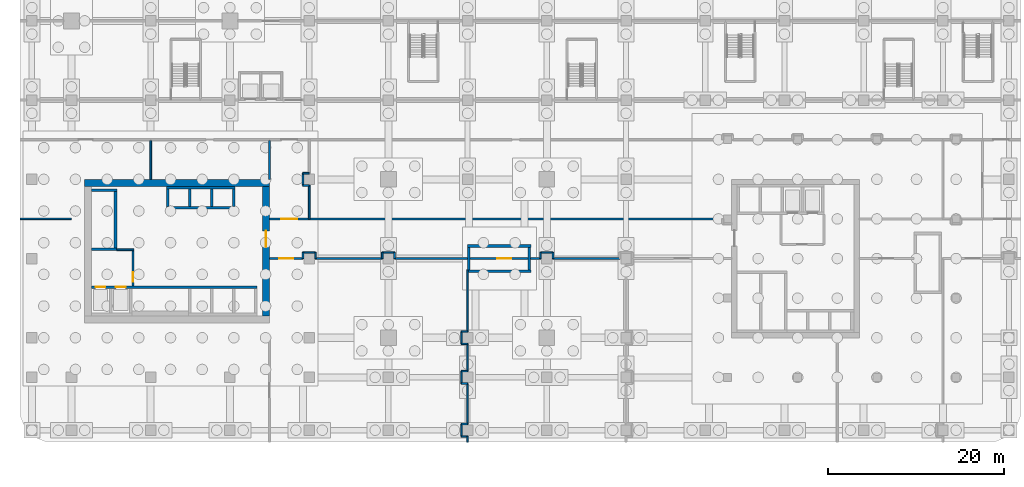
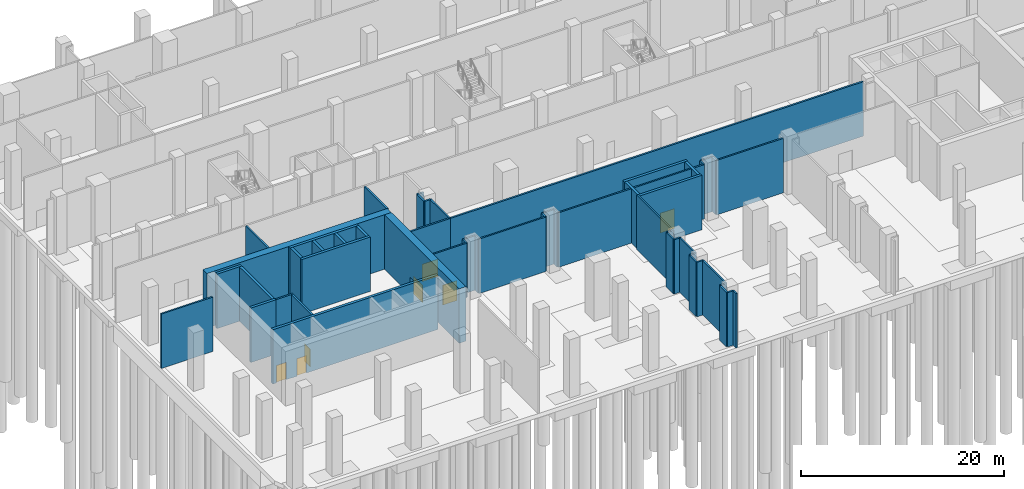
# One storey, part 8 of 23: 54 walls, 7 doors, 7 openings.
"""IFC4 building model written with IfcOpenShell, lengths in metres."""

import ifcopenshell
import ifcopenshell.guid

model = None  # the IFC model being written
_history = None  # IfcOwnerHistory: only IFC2X3 demands one
_inside = {}  # id of a spatial element -> (the spatial element, [elements in it])
_under = {}  # id of a project, library or spatial element -> (it, [spatial elements below it])
_declared = {}  # id of a project -> (the project, [libraries it declares])
_typed = {}  # id of a type object -> (the type object, [elements of that type])
_made_of = {}  # id of a material, layer set ... -> (it, [elements and type objects made of it])


def new_model(schema):
    """Start an empty IFC model of exactly this schema.

    Asked for "IFC4X3", IfcOpenShell would pick the latest addendum, in which some entities
    have other attributes; the version numbers below select the first issue.
    IFC2X3 requires an IfcOwnerHistory on every rooted entity: one is made here for all.
    """
    global model, _history
    if schema == "IFC4X3":
        model = ifcopenshell.file(schema_version=(4, 3, 0, 0))
    else:
        model = ifcopenshell.file(schema=schema)
    _inside.clear()
    _under.clear()
    _declared.clear()
    _typed.clear()
    _made_of.clear()
    _history = None
    if model.schema == "IFC2X3":
        org = make("IfcOrganization", Name="unknown")
        user = make(
            "IfcPersonAndOrganization",
            ThePerson=make("IfcPerson", FamilyName="unknown"),
            TheOrganization=org,
        )
        app = make(
            "IfcApplication",
            ApplicationDeveloper=org,
            Version="unknown",
            ApplicationFullName="unknown",
            ApplicationIdentifier="unknown",
        )
        _history = make(
            "IfcOwnerHistory",
            OwningUser=user,
            OwningApplication=app,
            ChangeAction="ADDED",
            CreationDate=0,
        )
    return model


def make(cls, **values):
    """One entity of the class cls with the attributes given. An attribute that is None is left unset."""
    return model.create_entity(
        cls, **{name: value for name, value in values.items() if value is not None}
    )


def rooted(cls, **values):
    """An entity with a GlobalId (a new one), such as an element, a storey or a relation."""
    return make(cls, GlobalId=ifcopenshell.guid.new(), OwnerHistory=_history, **values)


def si_unit(unit_type, name, prefix=None):
    """IfcSIUnit, for example si_unit("LENGTHUNIT", "METRE", prefix="MILLI")."""
    return make("IfcSIUnit", UnitType=unit_type, Prefix=prefix, Name=name)


def assignment(units):
    """IfcUnitAssignment: the units of a project."""
    return None if units is None else make("IfcUnitAssignment", Units=units)


def point(xyz):
    """IfcCartesianPoint."""
    return None if xyz is None else make("IfcCartesianPoint", Coordinates=xyz)


def direction(xyz):
    """IfcDirection."""
    return None if xyz is None else make("IfcDirection", DirectionRatios=xyz)


def frame(location, z_axis=None, x_axis=None):
    """IfcAxis2Placement3D, a coordinate frame: its origin and axes. An axis left out is left unset."""
    return make(
        "IfcAxis2Placement3D",
        Location=point(location),
        Axis=direction(z_axis),
        RefDirection=direction(x_axis),
    )


def frame_2d(location, x_axis=None):
    """IfcAxis2Placement2D, a coordinate frame in the plane: its origin and x axis."""
    return make(
        "IfcAxis2Placement2D", Location=point(location), RefDirection=direction(x_axis)
    )


def origin():
    """The frame at (0, 0, 0) with its axes left unset."""
    return frame((0.0, 0.0, 0.0))


def place(relative_to, where):
    """IfcLocalPlacement: puts the frame where relative to a parent placement (None: the world)."""
    return make(
        "IfcLocalPlacement", PlacementRelTo=relative_to, RelativePlacement=where
    )


def context(
    kind, dimensions, precision=None, world=None, true_north=None, identifier=None
):
    """IfcGeometricRepresentationContext, for example the 3D "Model" context."""
    return make(
        "IfcGeometricRepresentationContext",
        ContextIdentifier=identifier,
        ContextType=kind,
        CoordinateSpaceDimension=dimensions,
        Precision=precision,
        WorldCoordinateSystem=world,
        TrueNorth=true_north,
    )


def subcontext(parent, identifier, kind, view, scale=None):
    """IfcGeometricRepresentationSubContext, for example "Body" below "Model"."""
    return make(
        "IfcGeometricRepresentationSubContext",
        ContextIdentifier=identifier,
        ContextType=kind,
        ParentContext=parent,
        TargetScale=scale,
        TargetView=view,
    )


def project(units=None, contexts=None):
    """IfcProject with its units and contexts."""
    return rooted(
        "IfcProject",
        Name="project",
        RepresentationContexts=contexts,
        UnitsInContext=assignment(units),
    )


def spatial(cls, under=None, at=None, **own):
    """A site, building, storey or space (cls), placed at a placement, below another one or the project."""
    s = rooted(cls, ObjectPlacement=at, **own)
    if under is not None:
        _under.setdefault(under.id(), (under, []))[1].append(s)
    return s


def profile(cls, at=None, kind="AREA", **sizes):
    """A parametric profile (cls). Its sizes go by their IFC names, for example OverallWidth=200.0."""
    return make(cls, ProfileType=kind, Position=at, **sizes)


def rectangle(**sizes):
    """IfcRectangleProfileDef."""
    return profile("IfcRectangleProfileDef", **sizes)


def extrude(swept, where, along, depth):
    """IfcExtrudedAreaSolid: the profile swept, set in the frame where, extruded along a direction by depth."""
    return make(
        "IfcExtrudedAreaSolid",
        SweptArea=swept,
        Position=where,
        ExtrudedDirection=direction(along),
        Depth=depth,
    )


def shape(context_of_items, identifier, shape_type, items):
    """IfcShapeRepresentation: the items that make up one representation, for example the "Body"."""
    return make(
        "IfcShapeRepresentation",
        ContextOfItems=context_of_items,
        RepresentationIdentifier=identifier,
        RepresentationType=shape_type,
        Items=items,
    )


def material(Name=None, Category=None):
    """IfcMaterial."""
    return make("IfcMaterial", Name=Name, Category=Category)


def layer(
    of_material, thickness, ventilated=None, Name=None, Category=None, Priority=None
):
    """IfcMaterialLayer: one layer of a wall or slab, of a material (None: an air gap)."""
    return make(
        "IfcMaterialLayer",
        Material=of_material,
        LayerThickness=thickness,
        IsVentilated=ventilated,
        Name=Name,
        Category=Category,
        Priority=Priority,
    )


def layer_set(layers, Name=None):
    """IfcMaterialLayerSet."""
    return make("IfcMaterialLayerSet", MaterialLayers=layers, LayerSetName=Name)


def made_of(thing, what):
    """Note that an element or type object is made of a material, layer set ...; save() writes the relation."""
    if what is not None:
        _made_of.setdefault(what.id(), (what, []))[1].append(thing)
    return thing


def type_object(cls, material=None, **own):
    """A type object (cls), such as IfcWallType, which elements share."""
    return made_of(rooted(cls, **own), material)


def element(
    cls,
    number,
    at=None,
    inside=None,
    cuts=None,
    type_object=None,
    material=None,
    context=None,
    identifier="Body",
    shape_type=None,
    held_by="IfcProductDefinitionShape",
    body=None,
    shapes=None,
    **own,
):
    """One element of the class cls, such as IfcWall. Its Tag is "e" and its number.

    at: its placement. inside: the storey or other place that contains it. cuts: it is an
    opening in that element (IfcRelVoidsElement). A single representation is given by context,
    identifier, shape_type and body (its items); several are given by shapes. held_by: the class
    of the entity that holds the representations. save() writes the other relations.
    """
    e = rooted(cls, Tag="e%d" % number, ObjectPlacement=at, **own)
    if body is not None:
        shapes = [shape(context, identifier, shape_type, body)]
    if shapes is not None:
        e.Representation = make(held_by, Representations=shapes)
    if inside is not None:
        _inside.setdefault(inside.id(), (inside, []))[1].append(e)
    if cuts is not None:
        rooted(
            "IfcRelVoidsElement", RelatingBuildingElement=cuts, RelatedOpeningElement=e
        )
    if type_object is not None:
        _typed.setdefault(type_object.id(), (type_object, []))[1].append(e)
    return made_of(e, material)


def fill(opening, filler):
    """IfcRelFillsElement: the door or window that sits in an opening."""
    return rooted(
        "IfcRelFillsElement",
        RelatingOpeningElement=opening,
        RelatedBuildingElement=filler,
    )


def aggregate(whole, parts):
    """IfcRelAggregates: a whole, such as a stair, and the parts it consists of."""
    return rooted("IfcRelAggregates", RelatingObject=whole, RelatedObjects=parts)


def save(model, path):
    """Write the relations noted so far, then the file.

    IfcRelAggregates (storeys below a building ...), IfcRelContainedInSpatialStructure (elements
    in a storey), IfcRelDefinesByType, IfcRelAssociatesMaterial and IfcRelDeclares: one each for
    every whole, place, type object, material and project.
    """
    for whole, parts in _under.values():
        aggregate(whole, parts)
    for where, things in _inside.values():
        rooted(
            "IfcRelContainedInSpatialStructure",
            RelatedElements=things,
            RelatingStructure=where,
        )
    for kind, things in _typed.values():
        rooted("IfcRelDefinesByType", RelatedObjects=things, RelatingType=kind)
    for what, things in _made_of.values():
        rooted("IfcRelAssociatesMaterial", RelatedObjects=things, RelatingMaterial=what)
    for by, libraries in _declared.values():
        rooted("IfcRelDeclares", RelatingContext=by, RelatedDefinitions=libraries)
    model.write(path)


model = new_model("IFC4")

# Units and contexts
model_context = context("Model", 3, precision=1e-05, world=origin(), true_north=direction((0.0, 1.0)))
body_context = subcontext(model_context, "Body", "Model", "MODEL_VIEW")
ifc_project = project(units=[si_unit("LENGTHUNIT", "METRE"), si_unit("AREAUNIT", "SQUARE_METRE"), si_unit("VOLUMEUNIT", "CUBIC_METRE"), si_unit("PLANEANGLEUNIT", "RADIAN"), si_unit("MASSUNIT", "GRAM", prefix="KILO")], contexts=[model_context])

# Site, building, storey
site_placement = place(None, origin())
site = spatial("IfcSite", under=ifc_project, at=site_placement, CompositionType="ELEMENT")
building_placement = place(site_placement, origin())
building = spatial("IfcBuilding", under=site, at=building_placement, Name="Plateau Cross Towers", CompositionType="ELEMENT")
storey_placement = place(building_placement, frame((0.0, 0.0, -7.0)))
storey = spatial("IfcBuildingStorey", under=building, at=storey_placement, Name="B1", CompositionType="ELEMENT", Elevation=-7.0)

# Wall, opening, door
ifc_material_1 = material(Name="Concrete block, plastered both sides", Category="concrete")
ifc_layer_1 = layer(ifc_material_1, 0.199951171875)
ifc_layer_set_1 = layer_set([ifc_layer_1], Name="Concrete block, plastered both sides")
wall_type_1 = type_object("IfcWallType", Name="Core partition 200", PredefinedType="PARTITIONING", material=ifc_layer_set_1)
wall_1_placement = place(storey_placement, frame((7.0, 5.89990234375, 0.0), z_axis=(0.0, 0.0, 1.0), x_axis=(0.0, 1.0, 0.0)))
wall_1 = element("IfcWall", 1, at=wall_1_placement, inside=storey, type_object=wall_type_1, Name="Core partition", PredefinedType="PARTITIONING", context=body_context, shape_type="SweptSolid", body=[
    extrude(rectangle(XDim=4.0, YDim=0.199951171875, at=frame_2d((2.0, 0.0))), origin(), (0.0, 0.0, 1.0), 6.550048828125),
])
opening_1_placement = place(wall_1_placement, frame((0.449951171875, 0.0, 0.0)))
opening_1 = element("IfcOpeningElement", 2, at=opening_1_placement, cuts=wall_1, Name="Opening FFD", PredefinedType="OPENING", context=body_context, shape_type="SweptSolid", body=[
    extrude(rectangle(XDim=1.10009765625, YDim=2.10009765625, at=frame_2d((0.550048828125, 1.050048828125))), frame((0.0, 0.10986328125, 0.0), z_axis=(0.0, -1.0, 0.0), x_axis=(1.0, 0.0, 0.0)), (0.0, 0.0, 1.0), 0.219970703125),
])
ifc_material_2 = material(Name="Steel, fire-resisting leaf", Category="steel")
door_type_1 = type_object("IfcDoorType", Name="Firefighting lobby door 1100", OperationType="NOTDEFINED", PredefinedType="DOOR", material=ifc_material_2)
door_1_placement = place(opening_1_placement, origin())
door_1 = element("IfcDoor", 3, at=door_1_placement, inside=storey, type_object=door_type_1, Name="Firefighting lobby door FFD", OperationType="SINGLE_SWING_LEFT", OverallHeight=2.10009765625, OverallWidth=1.10009765625, PredefinedType="DOOR", context=body_context, shape_type="SweptSolid", body=[
    extrude(rectangle(XDim=1.10009765625, YDim=2.10009765625, at=frame_2d((0.550048828125, 1.050048828125))), frame((0.0, 0.02490234375, 0.0), z_axis=(0.0, -1.0, 0.0), x_axis=(1.0, 0.0, 0.0)), (0.0, 0.0, 1.0), 0.050048828125),
])
fill(opening_1, door_1)

# Wall
wall_2_placement = place(storey_placement, frame((5.14990234375, 10.0, 0.0), z_axis=(0.0, 0.0, 1.0), x_axis=(1.0, 0.0, 0.0)))
element("IfcWall", 4, at=wall_2_placement, inside=storey, type_object=wall_type_1, Name="Core partition", PredefinedType="PARTITIONING", context=body_context, shape_type="SweptSolid", body=[
    extrude(rectangle(XDim=1.9501953125, YDim=0.199951171875, at=frame_2d((0.97509765625, 0.0))), origin(), (0.0, 0.0, 1.0), 6.550048828125),
])

# Wall, openings, doors
ifc_material_3 = material(Name="Concrete C60/75", Category="concrete")
ifc_layer_2 = layer(ifc_material_3, 0.300048828125)
ifc_layer_set_2 = layer_set([ifc_layer_2], Name="Concrete C60/75")
wall_type_2 = type_object("IfcWallType", Name="Core shaft wall 300", PredefinedType="SHEAR", material=ifc_layer_set_2)
wall_3_placement = place(storey_placement, frame((2.300048828125, 5.75, 0.0), z_axis=(0.0, 0.0, 1.0), x_axis=(1.0, 0.0, 0.0)))
wall_3 = element("IfcWall", 5, at=wall_3_placement, inside=storey, type_object=wall_type_2, Name="A-sb-front@B1", PredefinedType="SHEAR", context=body_context, shape_type="SweptSolid", body=[
    extrude(rectangle(XDim=18.800048828125, YDim=0.300048828125, at=frame_2d((9.39990234375, 0.0))), origin(), (0.0, 0.0, 1.0), 6.550048828125),
])
opening_2_placement = place(wall_3_placement, frame((0.449951171875, 0.0, 0.0)))
opening_2 = element("IfcOpeningElement", 6, at=opening_2_placement, cuts=wall_3, Name="Opening LD", PredefinedType="OPENING", context=body_context, shape_type="SweptSolid", body=[
    extrude(rectangle(XDim=1.10009765625, YDim=2.10009765625, at=frame_2d((0.550048828125, 1.050048828125))), frame((0.0, 0.159912109375, 0.0), z_axis=(0.0, -1.0, 0.0), x_axis=(1.0, 0.0, 0.0)), (0.0, 0.0, 1.0), 0.320068359375),
])
opening_3_placement = place(wall_3_placement, frame((2.75, 0.0, 0.0)))
opening_3 = element("IfcOpeningElement", 7, at=opening_3_placement, cuts=wall_3, Name="Opening LD", PredefinedType="OPENING", context=body_context, shape_type="SweptSolid", body=[
    extrude(rectangle(XDim=1.10009765625, YDim=2.10009765625, at=frame_2d((0.550048828125, 1.050048828125))), frame((0.0, 0.159912109375, 0.0), z_axis=(0.0, -1.0, 0.0), x_axis=(1.0, 0.0, 0.0)), (0.0, 0.0, 1.0), 0.320068359375),
])
ifc_material_4 = material(Name="Stainless steel, fire-resisting sliding leaves", Category="steel")
door_type_2 = type_object("IfcDoorType", Name="Lift landing door 1100", OperationType="NOTDEFINED", PredefinedType="DOOR", material=ifc_material_4)
door_2_placement = place(opening_2_placement, origin())
door_2 = element("IfcDoor", 8, at=door_2_placement, inside=storey, type_object=door_type_2, Name="Lift landing door LD", OperationType="DOUBLE_DOOR_SLIDING", OverallHeight=2.10009765625, OverallWidth=1.10009765625, PredefinedType="DOOR", context=body_context, shape_type="SweptSolid", body=[
    extrude(rectangle(XDim=1.10009765625, YDim=2.10009765625, at=frame_2d((0.550048828125, 1.050048828125))), frame((0.0, 0.02490234375, 0.0), z_axis=(0.0, -1.0, 0.0), x_axis=(1.0, 0.0, 0.0)), (0.0, 0.0, 1.0), 0.050048828125),
])
fill(opening_2, door_2)
door_3_placement = place(opening_3_placement, origin())
door_3 = element("IfcDoor", 9, at=door_3_placement, inside=storey, type_object=door_type_2, Name="Lift landing door LD", OperationType="DOUBLE_DOOR_SLIDING", OverallHeight=2.10009765625, OverallWidth=1.10009765625, PredefinedType="DOOR", context=body_context, shape_type="SweptSolid", body=[
    extrude(rectangle(XDim=1.10009765625, YDim=2.10009765625, at=frame_2d((0.550048828125, 1.050048828125))), frame((0.0, 0.02490234375, 0.0), z_axis=(0.0, -1.0, 0.0), x_axis=(1.0, 0.0, 0.0)), (0.0, 0.0, 1.0), 0.050048828125),
])
fill(opening_3, door_3)

# Walls
wall_4_placement = place(storey_placement, frame((2.300048828125, 10.050048828125, 0.0), z_axis=(0.0, 0.0, 1.0), x_axis=(1.0, 0.0, 0.0)))
element("IfcWall", 10, at=wall_4_placement, inside=storey, type_object=wall_type_2, Name="A-st1-S@B1", PredefinedType="SHEAR", context=body_context, shape_type="SweptSolid", body=[
    extrude(rectangle(XDim=2.849853515625, YDim=0.300048828125, at=frame_2d((1.4248046875, 0.0))), origin(), (0.0, 0.0, 1.0), 6.550048828125),
])
wall_5_placement = place(storey_placement, frame((5.0, 10.199951171875, 0.0), z_axis=(0.0, 0.0, 1.0), x_axis=(0.0, 1.0, 0.0)))
element("IfcWall", 11, at=wall_5_placement, inside=storey, type_object=wall_type_2, Name="A-st1-E@B1", PredefinedType="SHEAR", context=body_context, shape_type="SweptSolid", body=[
    extrude(rectangle(XDim=6.400146484375, YDim=0.300048828125, at=frame_2d((3.2001953125, 0.0))), origin(), (0.0, 0.0, 1.0), 6.550048828125),
])
wall_6_placement = place(storey_placement, frame((2.300048828125, 16.75, 0.0), z_axis=(0.0, 0.0, 1.0), x_axis=(1.0, 0.0, 0.0)))
element("IfcWall", 12, at=wall_6_placement, inside=storey, type_object=wall_type_2, Name="A-st1-N@B1", PredefinedType="SHEAR", context=body_context, shape_type="SweptSolid", body=[
    extrude(rectangle(XDim=2.849853515625, YDim=0.300048828125, at=frame_2d((1.4248046875, 0.0))), origin(), (0.0, 0.0, 1.0), 6.550048828125),
])
for number, where, z_axis, x_axis, name in (
    (13, (10.800048828125, 17.050048828125, 0.0), (0.0, 0.0, 1.0), (1.0, 0.0, 0.0), "A-nb-back@B1"),
    (14, (10.800048828125, 14.75, 0.0), (0.0, 0.0, 1.0), (1.0, 0.0, 0.0), "A-nb-front@B1"),
):
    element("IfcWall", number, at=place(storey_placement, frame(where, z_axis=z_axis, x_axis=x_axis)), inside=storey, type_object=wall_type_2, Name=name, PredefinedType="SHEAR", context=body_context, shape_type="SweptSolid", body=[
        extrude(rectangle(XDim=7.800048828125, YDim=0.300048828125, at=frame_2d((3.89990234375, 0.0))), origin(), (0.0, 0.0, 1.0), 6.550048828125),
    ])
for number, where, z_axis, x_axis, name in (
    (15, (10.949951171875, 14.89990234375, 0.0), (0.0, 0.0, 1.0), (0.0, 1.0, 0.0), "A-nb-v1@B1"),
    (16, (13.449951171875, 14.89990234375, 0.0), (0.0, 0.0, 1.0), (0.0, 1.0, 0.0), "A-nb-v2@B1"),
    (17, (15.949951171875, 14.89990234375, 0.0), (0.0, 0.0, 1.0), (0.0, 1.0, 0.0), "A-nb-v3@B1"),
    (18, (18.449951171875, 14.89990234375, 0.0), (0.0, 0.0, 1.0), (0.0, 1.0, 0.0), "A-nb-v4@B1"),
):
    element("IfcWall", number, at=place(storey_placement, frame(where, z_axis=z_axis, x_axis=x_axis)), inside=storey, type_object=wall_type_2, Name=name, PredefinedType="SHEAR", context=body_context, shape_type="SweptSolid", body=[
        extrude(rectangle(XDim=2.0, YDim=0.300048828125, at=frame_2d((1.0, 0.0))), origin(), (0.0, 0.0, 1.0), 6.550048828125),
    ])
ifc_layer_3 = layer(ifc_material_3, 0.800048828125)
ifc_layer_set_3 = layer_set([ifc_layer_3], Name="Concrete C60/75")
wall_type_3 = type_object("IfcWallType", Name="Core shell wall 800", PredefinedType="SHEAR", material=ifc_layer_set_3)
wall_7_placement = place(storey_placement, frame((1.5, 17.60009765625, 0.0), z_axis=(0.0, 0.0, 1.0), x_axis=(1.0, 0.0, 0.0)))
element("IfcWall", 19, at=wall_7_placement, inside=storey, type_object=wall_type_3, Name="A-core-N@B1", PredefinedType="SHEAR", context=body_context, shape_type="SweptSolid", body=[
    extrude(rectangle(XDim=21.0, YDim=0.800048828125, at=frame_2d((10.5, 0.0))), origin(), (0.0, 0.0, 1.0), 6.550048828125),
])

# Wall, opening, door
wall_8_placement = place(storey_placement, frame((22.10009765625, 2.5, 0.0), z_axis=(0.0, 0.0, 1.0), x_axis=(0.0, 1.0, 0.0)))
wall_8 = element("IfcWall", 20, at=wall_8_placement, inside=storey, type_object=wall_type_3, Name="A-core-E@B1", PredefinedType="SHEAR", context=body_context, shape_type="SweptSolid", body=[
    extrude(rectangle(XDim=14.699951171875, YDim=0.800048828125, at=frame_2d((7.35009765625, 0.0))), origin(), (0.0, 0.0, 1.0), 6.550048828125),
])
opening_4_placement = place(wall_8_placement, frame((7.85009765625, 0.0, 0.0)))
opening_4 = element("IfcOpeningElement", 21, at=opening_4_placement, cuts=wall_8, Name="Opening CD", PredefinedType="OPENING", context=body_context, shape_type="SweptSolid", body=[
    extrude(rectangle(XDim=1.800048828125, YDim=2.10009765625, at=frame_2d((0.89990234375, 1.050048828125))), frame((0.0, 0.409912109375, 0.0), z_axis=(0.0, -1.0, 0.0), x_axis=(1.0, 0.0, 0.0)), (0.0, 0.0, 1.0), 0.820068359375),
])
ifc_material_5 = material(Name="Steel, fire-resisting leaves", Category="steel")
door_type_3 = type_object("IfcDoorType", Name="Corridor door pair 1800", OperationType="NOTDEFINED", PredefinedType="DOOR", material=ifc_material_5)
door_4_placement = place(opening_4_placement, origin())
door_4 = element("IfcDoor", 22, at=door_4_placement, inside=storey, type_object=door_type_3, Name="Corridor door pair CD", OperationType="DOUBLE_DOOR_SINGLE_SWING", OverallHeight=2.10009765625, OverallWidth=1.800048828125, PredefinedType="DOOR", context=body_context, shape_type="SweptSolid", body=[
    extrude(rectangle(XDim=1.800048828125, YDim=2.10009765625, at=frame_2d((0.89990234375, 1.050048828125))), frame((0.0, 0.02490234375, 0.0), z_axis=(0.0, -1.0, 0.0), x_axis=(1.0, 0.0, 0.0)), (0.0, 0.0, 1.0), 0.050048828125),
])
fill(opening_4, door_4)

# Walls
ifc_material_6 = material(Name="Dense masonry block, plastered, acoustic lining", Category="masonry")
ifc_layer_4 = layer(ifc_material_6, 0.179931640625)
ifc_layer_set_4 = layer_set([ifc_layer_4], Name="Dense masonry block, plastered, acoustic lining")
wall_type_4 = type_object("IfcWallType", Name="Plant room acoustic wall 180", PredefinedType="PARTITIONING", material=ifc_layer_set_4)
wall_9_placement = place(storey_placement, frame((45.0, 7.72509765625, 0.0), z_axis=(0.0, 0.0, 1.0), x_axis=(0.0, -1.0, 0.0)))
element("IfcWall", 23, at=wall_9_placement, inside=storey, type_object=wall_type_4, Name="Partition wall", PredefinedType="PARTITIONING", context=body_context, shape_type="SweptSolid", body=[
    extrude(rectangle(XDim=7.025146484375, YDim=0.179931640625, at=frame_2d((3.5126953125, 0.0))), origin(), (0.0, 0.0, 1.0), 6.550048828125),
])
wall_10_placement = place(storey_placement, frame((45.0, 0.699951171875, 0.0), z_axis=(0.0, 0.0, 1.0), x_axis=(-1.0, 0.0, 0.0)))
element("IfcWall", 24, at=wall_10_placement, inside=storey, type_object=wall_type_4, Name="Partition wall", PredefinedType="PARTITIONING", context=body_context, shape_type="SweptSolid", body=[
    extrude(rectangle(XDim=0.699951171875, YDim=0.179931640625, at=frame_2d((0.35009765625, 0.0))), origin(), (0.0, 0.0, 1.0), 6.550048828125),
])
wall_11_placement = place(storey_placement, frame((44.300048828125, 0.699951171875, 0.0), z_axis=(0.0, 0.0, 1.0), x_axis=(0.0, -1.0, 0.0)))
element("IfcWall", 25, at=wall_11_placement, inside=storey, type_object=wall_type_4, Name="Partition wall", PredefinedType="PARTITIONING", context=body_context, shape_type="SweptSolid", body=[
    extrude(rectangle(XDim=1.39990234375, YDim=0.179931640625, at=frame_2d((0.699951171875, 0.0))), origin(), (0.0, 0.0, 1.0), 6.550048828125),
])
wall_12_placement = place(storey_placement, frame((44.300048828125, -0.699951171875, 0.0), z_axis=(0.0, 0.0, 1.0), x_axis=(1.0, 0.0, 0.0)))
element("IfcWall", 26, at=wall_12_placement, inside=storey, type_object=wall_type_4, Name="Partition wall", PredefinedType="PARTITIONING", context=body_context, shape_type="SweptSolid", body=[
    extrude(rectangle(XDim=0.699951171875, YDim=0.179931640625, at=frame_2d((0.35009765625, 0.0))), origin(), (0.0, 0.0, 1.0), 6.550048828125),
])
wall_13_placement = place(storey_placement, frame((45.0, -0.699951171875, 0.0), z_axis=(0.0, 0.0, 1.0), x_axis=(0.0, -1.0, 0.0)))
element("IfcWall", 27, at=wall_13_placement, inside=storey, type_object=wall_type_4, Name="Partition wall", PredefinedType="PARTITIONING", context=body_context, shape_type="SweptSolid", body=[
    extrude(rectangle(XDim=3.10009765625, YDim=0.179931640625, at=frame_2d((1.550048828125, 0.0))), origin(), (0.0, 0.0, 1.0), 6.550048828125),
])
wall_14_placement = place(storey_placement, frame((45.0, -3.800048828125, 0.0), z_axis=(0.0, 0.0, 1.0), x_axis=(-1.0, 0.0, 0.0)))
element("IfcWall", 28, at=wall_14_placement, inside=storey, type_object=wall_type_4, Name="Partition wall", PredefinedType="PARTITIONING", context=body_context, shape_type="SweptSolid", body=[
    extrude(rectangle(XDim=0.699951171875, YDim=0.179931640625, at=frame_2d((0.35009765625, 0.0))), origin(), (0.0, 0.0, 1.0), 6.550048828125),
])
wall_15_placement = place(storey_placement, frame((44.300048828125, -3.800048828125, 0.0), z_axis=(0.0, 0.0, 1.0), x_axis=(0.0, -1.0, 0.0)))
element("IfcWall", 29, at=wall_15_placement, inside=storey, type_object=wall_type_4, Name="Partition wall", PredefinedType="PARTITIONING", context=body_context, shape_type="SweptSolid", body=[
    extrude(rectangle(XDim=1.39990234375, YDim=0.179931640625, at=frame_2d((0.699951171875, 0.0))), origin(), (0.0, 0.0, 1.0), 6.550048828125),
])
wall_16_placement = place(storey_placement, frame((44.300048828125, -5.199951171875, 0.0), z_axis=(0.0, 0.0, 1.0), x_axis=(1.0, 0.0, 0.0)))
element("IfcWall", 30, at=wall_16_placement, inside=storey, type_object=wall_type_4, Name="Partition wall", PredefinedType="PARTITIONING", context=body_context, shape_type="SweptSolid", body=[
    extrude(rectangle(XDim=0.699951171875, YDim=0.179931640625, at=frame_2d((0.35009765625, 0.0))), origin(), (0.0, 0.0, 1.0), 6.550048828125),
])
wall_17_placement = place(storey_placement, frame((45.0, -5.199951171875, 0.0), z_axis=(0.0, 0.0, 1.0), x_axis=(0.0, -1.0, 0.0)))
element("IfcWall", 31, at=wall_17_placement, inside=storey, type_object=wall_type_4, Name="Partition wall", PredefinedType="PARTITIONING", context=body_context, shape_type="SweptSolid", body=[
    extrude(rectangle(XDim=4.60009765625, YDim=0.179931640625, at=frame_2d((2.300048828125, 0.0))), origin(), (0.0, 0.0, 1.0), 6.550048828125),
])
wall_18_placement = place(storey_placement, frame((45.0, -9.800048828125, 0.0), z_axis=(0.0, 0.0, 1.0), x_axis=(-1.0, 0.0, 0.0)))
element("IfcWall", 32, at=wall_18_placement, inside=storey, type_object=wall_type_4, Name="Partition wall", PredefinedType="PARTITIONING", context=body_context, shape_type="SweptSolid", body=[
    extrude(rectangle(XDim=0.699951171875, YDim=0.179931640625, at=frame_2d((0.35009765625, 0.0))), origin(), (0.0, 0.0, 1.0), 6.550048828125),
])
wall_19_placement = place(storey_placement, frame((44.300048828125, -9.800048828125, 0.0), z_axis=(0.0, 0.0, 1.0), x_axis=(0.0, -1.0, 0.0)))
element("IfcWall", 33, at=wall_19_placement, inside=storey, type_object=wall_type_4, Name="Partition wall", PredefinedType="PARTITIONING", context=body_context, shape_type="SweptSolid", body=[
    extrude(rectangle(XDim=1.39990234375, YDim=0.179931640625, at=frame_2d((0.699951171875, 0.0))), origin(), (0.0, 0.0, 1.0), 6.550048828125),
])
wall_20_placement = place(storey_placement, frame((44.300048828125, -11.199951171875, 0.0), z_axis=(0.0, 0.0, 1.0), x_axis=(1.0, 0.0, 0.0)))
element("IfcWall", 34, at=wall_20_placement, inside=storey, type_object=wall_type_4, Name="Partition wall", PredefinedType="PARTITIONING", context=body_context, shape_type="SweptSolid", body=[
    extrude(rectangle(XDim=0.699951171875, YDim=0.179931640625, at=frame_2d((0.35009765625, 0.0))), origin(), (0.0, 0.0, 1.0), 6.550048828125),
])
wall_21_placement = place(storey_placement, frame((45.0, -11.199951171875, 0.0), z_axis=(0.0, 0.0, 1.0), x_axis=(0.0, -1.0, 0.0)))
element("IfcWall", 35, at=wall_21_placement, inside=storey, type_object=wall_type_4, Name="Partition wall", PredefinedType="PARTITIONING", context=body_context, shape_type="SweptSolid", body=[
    extrude(rectangle(XDim=0.650146484375, YDim=0.179931640625, at=frame_2d((0.3251953125, 0.0))), origin(), (0.0, 0.0, 1.0), 6.550048828125),
])
wall_22_placement = place(storey_placement, frame((62.300048828125, 9.0, 0.0), z_axis=(0.0, 0.0, 1.0), x_axis=(-1.0, 0.0, 0.0)))
element("IfcWall", 36, at=wall_22_placement, inside=storey, type_object=wall_type_4, Name="Partition wall", PredefinedType="PARTITIONING", context=body_context, shape_type="SweptSolid", body=[
    extrude(rectangle(XDim=7.60009765625, YDim=0.179931640625, at=frame_2d((3.800048828125, 0.0))), origin(), (0.0, 0.0, 1.0), 6.550048828125),
])
wall_23_placement = place(storey_placement, frame((54.699951171875, 9.0, 0.0), z_axis=(0.0, 0.0, 1.0), x_axis=(0.0, 1.0, 0.0)))
element("IfcWall", 37, at=wall_23_placement, inside=storey, type_object=wall_type_4, Name="Partition wall", PredefinedType="PARTITIONING", context=body_context, shape_type="SweptSolid", body=[
    extrude(rectangle(XDim=0.699951171875, YDim=0.179931640625, at=frame_2d((0.35009765625, 0.0))), origin(), (0.0, 0.0, 1.0), 6.550048828125),
])
wall_24_placement = place(storey_placement, frame((54.699951171875, 9.699951171875, 0.0), z_axis=(0.0, 0.0, 1.0), x_axis=(-1.0, 0.0, 0.0)))
element("IfcWall", 38, at=wall_24_placement, inside=storey, type_object=wall_type_4, Name="Partition wall", PredefinedType="PARTITIONING", context=body_context, shape_type="SweptSolid", body=[
    extrude(rectangle(XDim=1.39990234375, YDim=0.179931640625, at=frame_2d((0.699951171875, 0.0))), origin(), (0.0, 0.0, 1.0), 6.550048828125),
])
wall_25_placement = place(storey_placement, frame((53.300048828125, 9.699951171875, 0.0), z_axis=(0.0, 0.0, 1.0), x_axis=(0.0, -1.0, 0.0)))
element("IfcWall", 39, at=wall_25_placement, inside=storey, type_object=wall_type_4, Name="Partition wall", PredefinedType="PARTITIONING", context=body_context, shape_type="SweptSolid", body=[
    extrude(rectangle(XDim=0.699951171875, YDim=0.179931640625, at=frame_2d((0.35009765625, 0.0))), origin(), (0.0, 0.0, 1.0), 6.550048828125),
])

# Wall, opening, door
wall_26_placement = place(storey_placement, frame((53.300048828125, 9.0, 0.0), z_axis=(0.0, 0.0, 1.0), x_axis=(-1.0, 0.0, 0.0)))
wall_26 = element("IfcWall", 40, at=wall_26_placement, inside=storey, type_object=wall_type_4, Name="Partition wall", PredefinedType="PARTITIONING", context=body_context, shape_type="SweptSolid", body=[
    extrude(rectangle(XDim=8.300048828125, YDim=0.179931640625, at=frame_2d((4.14990234375, 0.0))), origin(), (0.0, 0.0, 1.0), 6.550048828125),
])
opening_5_placement = place(wall_26_placement, frame((3.35009765625, 0.0, 0.0)))
opening_5 = element("IfcOpeningElement", 41, at=opening_5_placement, cuts=wall_26, Name="Opening B1-15", PredefinedType="OPENING", context=body_context, shape_type="SweptSolid", body=[
    extrude(rectangle(XDim=1.60009765625, YDim=2.39990234375, at=frame_2d((0.800048828125, 1.199951171875))), frame((0.0, 0.099853515625, 0.0), z_axis=(0.0, -1.0, 0.0), x_axis=(1.0, 0.0, 0.0)), (0.0, 0.0, 1.0), 0.199951171875),
])
ifc_material_7 = material(Name="Steel, fire-resisting double leaf with louvre panel", Category="steel")
door_type_4 = type_object("IfcDoorType", Name="Plant room double door 1600x2400", OperationType="NOTDEFINED", PredefinedType="DOOR", material=ifc_material_7)
door_5_placement = place(opening_5_placement, origin())
door_5 = element("IfcDoor", 42, at=door_5_placement, inside=storey, type_object=door_type_4, Name="Door B1-15", OperationType="SINGLE_SWING_LEFT", OverallHeight=2.39990234375, OverallWidth=1.60009765625, PredefinedType="DOOR", context=body_context, shape_type="SweptSolid", body=[
    extrude(rectangle(XDim=1.60009765625, YDim=2.39990234375, at=frame_2d((0.800048828125, 1.199951171875))), frame((0.0, 0.02490234375, 0.0), z_axis=(0.0, -1.0, 0.0), x_axis=(1.0, 0.0, 0.0)), (0.0, 0.0, 1.0), 0.050048828125),
])
fill(opening_5, door_5)

# Walls
wall_27_placement = place(storey_placement, frame((36.699951171875, 9.0, 0.0), z_axis=(0.0, 0.0, 1.0), x_axis=(0.0, 1.0, 0.0)))
element("IfcWall", 43, at=wall_27_placement, inside=storey, type_object=wall_type_4, Name="Partition wall", PredefinedType="PARTITIONING", context=body_context, shape_type="SweptSolid", body=[
    extrude(rectangle(XDim=0.699951171875, YDim=0.179931640625, at=frame_2d((0.35009765625, 0.0))), origin(), (0.0, 0.0, 1.0), 6.550048828125),
])
wall_28_placement = place(storey_placement, frame((36.699951171875, 9.699951171875, 0.0), z_axis=(0.0, 0.0, 1.0), x_axis=(-1.0, 0.0, 0.0)))
element("IfcWall", 44, at=wall_28_placement, inside=storey, type_object=wall_type_4, Name="Partition wall", PredefinedType="PARTITIONING", context=body_context, shape_type="SweptSolid", body=[
    extrude(rectangle(XDim=1.39990234375, YDim=0.179931640625, at=frame_2d((0.699951171875, 0.0))), origin(), (0.0, 0.0, 1.0), 6.550048828125),
])
wall_29_placement = place(storey_placement, frame((35.300048828125, 9.699951171875, 0.0), z_axis=(0.0, 0.0, 1.0), x_axis=(0.0, -1.0, 0.0)))
element("IfcWall", 45, at=wall_29_placement, inside=storey, type_object=wall_type_4, Name="Partition wall", PredefinedType="PARTITIONING", context=body_context, shape_type="SweptSolid", body=[
    extrude(rectangle(XDim=0.699951171875, YDim=0.179931640625, at=frame_2d((0.35009765625, 0.0))), origin(), (0.0, 0.0, 1.0), 6.550048828125),
])
wall_30_placement = place(storey_placement, frame((35.300048828125, 9.0, 0.0), z_axis=(0.0, 0.0, 1.0), x_axis=(-1.0, 0.0, 0.0)))
element("IfcWall", 46, at=wall_30_placement, inside=storey, type_object=wall_type_4, Name="Partition wall", PredefinedType="PARTITIONING", context=body_context, shape_type="SweptSolid", body=[
    extrude(rectangle(XDim=7.60009765625, YDim=0.179931640625, at=frame_2d((3.800048828125, 0.0))), origin(), (0.0, 0.0, 1.0), 6.550048828125),
])
wall_31_placement = place(storey_placement, frame((27.699951171875, 9.0, 0.0), z_axis=(0.0, 0.0, 1.0), x_axis=(0.0, 1.0, 0.0)))
element("IfcWall", 47, at=wall_31_placement, inside=storey, type_object=wall_type_4, Name="Partition wall", PredefinedType="PARTITIONING", context=body_context, shape_type="SweptSolid", body=[
    extrude(rectangle(XDim=0.699951171875, YDim=0.179931640625, at=frame_2d((0.35009765625, 0.0))), origin(), (0.0, 0.0, 1.0), 6.550048828125),
])
wall_32_placement = place(storey_placement, frame((27.699951171875, 9.699951171875, 0.0), z_axis=(0.0, 0.0, 1.0), x_axis=(-1.0, 0.0, 0.0)))
element("IfcWall", 48, at=wall_32_placement, inside=storey, type_object=wall_type_4, Name="Partition wall", PredefinedType="PARTITIONING", context=body_context, shape_type="SweptSolid", body=[
    extrude(rectangle(XDim=1.39990234375, YDim=0.179931640625, at=frame_2d((0.699951171875, 0.0))), origin(), (0.0, 0.0, 1.0), 6.550048828125),
])
wall_33_placement = place(storey_placement, frame((26.300048828125, 9.699951171875, 0.0), z_axis=(0.0, 0.0, 1.0), x_axis=(0.0, -1.0, 0.0)))
element("IfcWall", 49, at=wall_33_placement, inside=storey, type_object=wall_type_4, Name="Partition wall", PredefinedType="PARTITIONING", context=body_context, shape_type="SweptSolid", body=[
    extrude(rectangle(XDim=0.699951171875, YDim=0.179931640625, at=frame_2d((0.35009765625, 0.0))), origin(), (0.0, 0.0, 1.0), 6.550048828125),
])

# Wall, opening, door
wall_34_placement = place(storey_placement, frame((26.300048828125, 9.0, 0.0), z_axis=(0.0, 0.0, 1.0), x_axis=(-1.0, 0.0, 0.0)))
wall_34 = element("IfcWall", 50, at=wall_34_placement, inside=storey, type_object=wall_type_4, Name="Partition wall", PredefinedType="PARTITIONING", context=body_context, shape_type="SweptSolid", body=[
    extrude(rectangle(XDim=3.800048828125, YDim=0.179931640625, at=frame_2d((1.89990234375, 0.0))), origin(), (0.0, 0.0, 1.0), 6.550048828125),
])
opening_6_placement = place(wall_34_placement, frame((1.10009765625, 0.0, 0.0)))
opening_6 = element("IfcOpeningElement", 51, at=opening_6_placement, cuts=wall_34, Name="Opening B1-14", PredefinedType="OPENING", context=body_context, shape_type="SweptSolid", body=[
    extrude(rectangle(XDim=1.60009765625, YDim=2.39990234375, at=frame_2d((0.800048828125, 1.199951171875))), frame((0.0, 0.099853515625, 0.0), z_axis=(0.0, -1.0, 0.0), x_axis=(1.0, 0.0, 0.0)), (0.0, 0.0, 1.0), 0.199951171875),
])
door_6_placement = place(opening_6_placement, origin())
door_6 = element("IfcDoor", 52, at=door_6_placement, inside=storey, type_object=door_type_4, Name="Door B1-14", OperationType="SINGLE_SWING_LEFT", OverallHeight=2.39990234375, OverallWidth=1.60009765625, PredefinedType="DOOR", context=body_context, shape_type="SweptSolid", body=[
    extrude(rectangle(XDim=1.60009765625, YDim=2.39990234375, at=frame_2d((0.800048828125, 1.199951171875))), frame((0.0, 0.02490234375, 0.0), z_axis=(0.0, -1.0, 0.0), x_axis=(1.0, 0.0, 0.0)), (0.0, 0.0, 1.0), 0.050048828125),
])
fill(opening_6, door_6)

# Walls
wall_35_placement = place(storey_placement, frame((45.0, 9.0, 0.0), z_axis=(0.0, 0.0, 1.0), x_axis=(-1.0, 0.0, 0.0)))
element("IfcWall", 53, at=wall_35_placement, inside=storey, type_object=wall_type_4, Name="Partition wall", PredefinedType="PARTITIONING", context=body_context, shape_type="SweptSolid", body=[
    extrude(rectangle(XDim=8.300048828125, YDim=0.179931640625, at=frame_2d((4.14990234375, 0.0))), origin(), (0.0, 0.0, 1.0), 6.550048828125),
])
wall_36_placement = place(storey_placement, frame((0.0, 13.5, 0.0), z_axis=(0.0, 0.0, 1.0), x_axis=(-1.0, 0.0, 0.0)))
element("IfcWall", 54, at=wall_36_placement, inside=storey, type_object=wall_type_4, Name="Partition wall", PredefinedType="PARTITIONING", context=body_context, shape_type="SweptSolid", body=[
    extrude(rectangle(XDim=5.85009765625, YDim=0.179931640625, at=frame_2d((2.925048828125, 0.0))), origin(), (0.0, 0.0, 1.0), 6.550048828125),
])
wall_37_placement = place(storey_placement, frame((9.0, 18.0, 0.0), z_axis=(0.0, 0.0, 1.0), x_axis=(0.0, 1.0, 0.0)))
element("IfcWall", 55, at=wall_37_placement, inside=storey, type_object=wall_type_4, Name="Partition wall", PredefinedType="PARTITIONING", context=body_context, shape_type="SweptSolid", body=[
    extrude(rectangle(XDim=4.39990234375, YDim=0.179931640625, at=frame_2d((2.199951171875, 0.0))), origin(), (0.0, 0.0, 1.0), 6.550048828125),
])
ifc_material_8 = material(Name="Gypsum board on steel studs", Category="steel")
ifc_layer_5 = layer(ifc_material_8, 0.199951171875)
ifc_layer_set_5 = layer_set([ifc_layer_5], Name="Gypsum board on steel studs")
wall_type_5 = type_object("IfcWallType", Name="Podium partition 200", PredefinedType="PARTITIONING", material=ifc_layer_set_5)
wall_38_placement = place(storey_placement, frame((27.0, 13.5, 0.0), z_axis=(0.0, 0.0, 1.0), x_axis=(1.0, 0.0, 0.0)))
element("IfcWall", 56, at=wall_38_placement, inside=storey, type_object=wall_type_5, Name="Partition wall", PredefinedType="PARTITIONING", context=body_context, shape_type="SweptSolid", body=[
    extrude(rectangle(XDim=47.0, YDim=0.199951171875, at=frame_2d((23.5, 0.0))), origin(), (0.0, 0.0, 1.0), 6.550048828125),
])
wall_39_placement = place(storey_placement, frame((27.0, 18.699951171875, 0.0), z_axis=(0.0, 0.0, 1.0), x_axis=(-1.0, 0.0, 0.0)))
element("IfcWall", 57, at=wall_39_placement, inside=storey, type_object=wall_type_5, Name="Partition wall", PredefinedType="PARTITIONING", context=body_context, shape_type="SweptSolid", body=[
    extrude(rectangle(XDim=0.699951171875, YDim=0.199951171875, at=frame_2d((0.35009765625, 0.0))), origin(), (0.0, 0.0, 1.0), 6.550048828125),
])
wall_40_placement = place(storey_placement, frame((26.300048828125, 18.699951171875, 0.0), z_axis=(0.0, 0.0, 1.0), x_axis=(0.0, -1.0, 0.0)))
element("IfcWall", 58, at=wall_40_placement, inside=storey, type_object=wall_type_5, Name="Partition wall", PredefinedType="PARTITIONING", context=body_context, shape_type="SweptSolid", body=[
    extrude(rectangle(XDim=1.39990234375, YDim=0.199951171875, at=frame_2d((0.699951171875, 0.0))), origin(), (0.0, 0.0, 1.0), 6.550048828125),
])
wall_41_placement = place(storey_placement, frame((26.300048828125, 17.300048828125, 0.0), z_axis=(0.0, 0.0, 1.0), x_axis=(1.0, 0.0, 0.0)))
element("IfcWall", 59, at=wall_41_placement, inside=storey, type_object=wall_type_5, Name="Partition wall", PredefinedType="PARTITIONING", context=body_context, shape_type="SweptSolid", body=[
    extrude(rectangle(XDim=0.699951171875, YDim=0.199951171875, at=frame_2d((0.35009765625, 0.0))), origin(), (0.0, 0.0, 1.0), 6.550048828125),
])
wall_42_placement = place(storey_placement, frame((27.0, 17.300048828125, 0.0), z_axis=(0.0, 0.0, 1.0), x_axis=(0.0, -1.0, 0.0)))
element("IfcWall", 60, at=wall_42_placement, inside=storey, type_object=wall_type_5, Name="Partition wall", PredefinedType="PARTITIONING", context=body_context, shape_type="SweptSolid", body=[
    extrude(rectangle(XDim=3.800048828125, YDim=0.199951171875, at=frame_2d((1.89990234375, 0.0))), origin(), (0.0, 0.0, 1.0), 6.550048828125),
])
wall_43_placement = place(storey_placement, frame((22.5, 18.0, 0.0), z_axis=(0.0, 0.0, 1.0), x_axis=(0.0, 1.0, 0.0)))
element("IfcWall", 61, at=wall_43_placement, inside=storey, type_object=wall_type_5, Name="Partition wall", PredefinedType="PARTITIONING", context=body_context, shape_type="SweptSolid", body=[
    extrude(rectangle(XDim=4.39990234375, YDim=0.199951171875, at=frame_2d((2.199951171875, 0.0))), origin(), (0.0, 0.0, 1.0), 6.550048828125),
])

# Wall, opening, door
wall_44_placement = place(storey_placement, frame((27.0, 13.5, 0.0), z_axis=(0.0, 0.0, 1.0), x_axis=(-1.0, 0.0, 0.0)))
wall_44 = element("IfcWall", 62, at=wall_44_placement, inside=storey, type_object=wall_type_5, Name="Partition wall", PredefinedType="PARTITIONING", context=body_context, shape_type="SweptSolid", body=[
    extrude(rectangle(XDim=4.5, YDim=0.199951171875, at=frame_2d((2.25, 0.0))), origin(), (0.0, 0.0, 1.0), 6.550048828125),
])
opening_7_placement = place(wall_44_placement, frame((1.35009765625, 0.0, 0.0)))
opening_7 = element("IfcOpeningElement", 63, at=opening_7_placement, cuts=wall_44, Name="Opening B1-32", PredefinedType="OPENING", context=body_context, shape_type="SweptSolid", body=[
    extrude(rectangle(XDim=1.800048828125, YDim=2.10009765625, at=frame_2d((0.89990234375, 1.050048828125))), frame((0.0, 0.10986328125, 0.0), z_axis=(0.0, -1.0, 0.0), x_axis=(1.0, 0.0, 0.0)), (0.0, 0.0, 1.0), 0.219970703125),
])
ifc_material_9 = material(Name="Aluminium frame, toughened glass", Category="aluminium")
door_type_5 = type_object("IfcDoorType", Name="Podium door pair 1800", OperationType="NOTDEFINED", PredefinedType="DOOR", material=ifc_material_9)
door_7_placement = place(opening_7_placement, origin())
door_7 = element("IfcDoor", 64, at=door_7_placement, inside=storey, type_object=door_type_5, Name="Door B1-32", OperationType="DOUBLE_DOOR_SINGLE_SWING", OverallHeight=2.10009765625, OverallWidth=1.800048828125, PredefinedType="DOOR", context=body_context, shape_type="SweptSolid", body=[
    extrude(rectangle(XDim=1.800048828125, YDim=2.10009765625, at=frame_2d((0.89990234375, 1.050048828125))), frame((0.0, 0.02490234375, 0.0), z_axis=(0.0, -1.0, 0.0), x_axis=(1.0, 0.0, 0.0)), (0.0, 0.0, 1.0), 0.050048828125),
])
fill(opening_7, door_7)

# Walls
ifc_layer_6 = layer(ifc_material_3, 0.300048828125)
ifc_layer_set_6 = layer_set([ifc_layer_6], Name="Concrete C60/75")
wall_type_6 = type_object("IfcWallType", Name="Stair tower base wall 300", PredefinedType="SHEAR", material=ifc_layer_set_6)
for number, where, z_axis, x_axis, name in (
    (65, (45.14990234375, 7.72509765625, 0.0), (0.0, 0.0, 1.0), (0.0, 1.0, 0.0), "A-end-E-W@B1"),
    (66, (52.0, 7.72509765625, 0.0), (0.0, 0.0, 1.0), (0.0, 1.0, 0.0), "A-end-E-E@B1"),
):
    element("IfcWall", number, at=place(storey_placement, frame(where, z_axis=z_axis, x_axis=x_axis)), inside=storey, type_object=wall_type_6, Name=name, PredefinedType="SHEAR", context=body_context, shape_type="SweptSolid", body=[
        extrude(rectangle(XDim=2.5498046875, YDim=0.300048828125, at=frame_2d((1.27490234375, 0.0))), origin(), (0.0, 0.0, 1.0), 6.550048828125),
    ])
for number, where, z_axis, x_axis, name in (
    (67, (45.0, 7.574951171875, 0.0), (0.0, 0.0, 1.0), (1.0, 0.0, 0.0), "A-end-E-S@B1"),
    (68, (45.0, 10.425048828125, 0.0), (0.0, 0.0, 1.0), (1.0, 0.0, 0.0), "A-end-E-N@B1"),
):
    element("IfcWall", number, at=place(storey_placement, frame(where, z_axis=z_axis, x_axis=x_axis)), inside=storey, type_object=wall_type_6, Name=name, PredefinedType="SHEAR", context=body_context, shape_type="SweptSolid", body=[
        extrude(rectangle(XDim=7.199951171875, YDim=0.300048828125, at=frame_2d((3.60009765625, 0.0))), origin(), (0.0, 0.0, 1.0), 6.550048828125),
    ])

save(model, "model.ifc")
